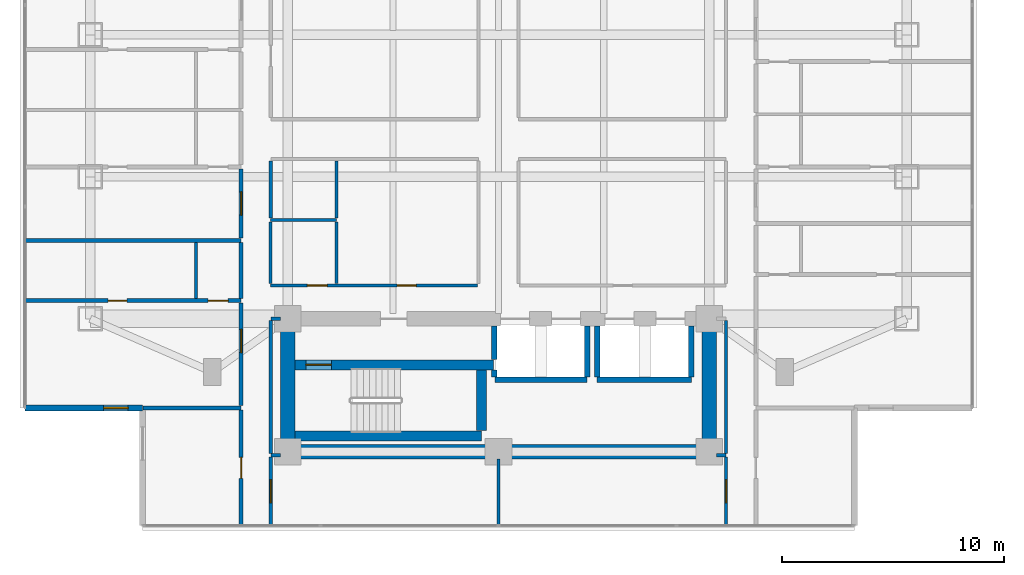
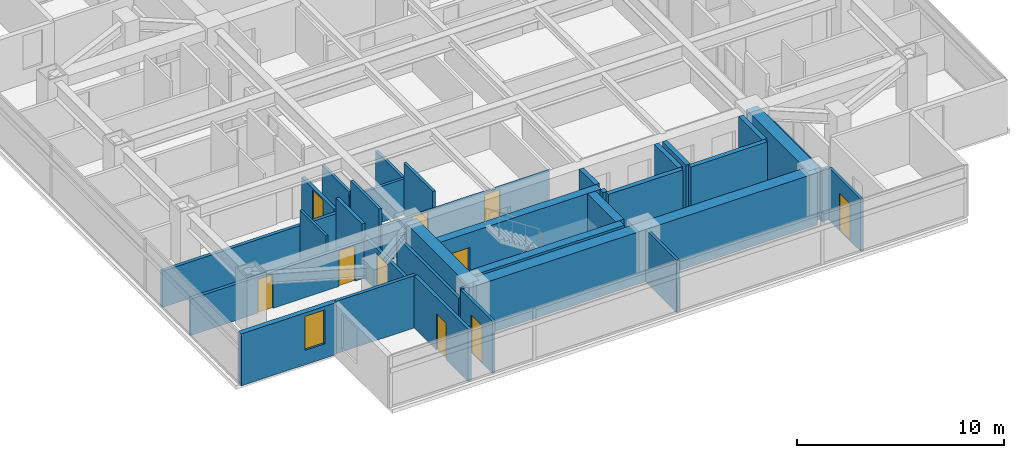
# One storey, part 12 of 24: 36 walls, 10 doors, 1 window, 11 openings.
"""IFC4 building model written with IfcOpenShell, lengths in metres."""

from ifc_helpers import new_model, si_unit, direction, frame, frame_2d, origin, place, context, subcontext, project, spatial, rectangle, extrude, material, layer, layer_set, type_object, element, fill, save


model = new_model("IFC4")

# Units and contexts
model_context = context("Model", 3, precision=1e-05, world=origin(), true_north=direction((0.0, 1.0)))
body_context = subcontext(model_context, "Body", "Model", "MODEL_VIEW")
ifc_project = project(units=[si_unit("LENGTHUNIT", "METRE"), si_unit("AREAUNIT", "SQUARE_METRE"), si_unit("VOLUMEUNIT", "CUBIC_METRE"), si_unit("PLANEANGLEUNIT", "RADIAN"), si_unit("MASSUNIT", "GRAM", prefix="KILO")], contexts=[model_context])

# Site, building, storey
site_placement = place(None, origin())
site = spatial("IfcSite", under=ifc_project, at=site_placement, CompositionType="ELEMENT")
building_placement = place(site_placement, origin())
building = spatial("IfcBuilding", under=site, at=building_placement, Name="Mirazonda Arch Towers", CompositionType="ELEMENT")
storey_placement = place(building_placement, frame((0.0, 0.0, 101.60009765625)))
storey = spatial("IfcBuildingStorey", under=building, at=storey_placement, Name="L28", CompositionType="ELEMENT", Elevation=101.60009765625)

# Wall
ifc_material_1 = material(Name="Concrete C50/60", Category="concrete")
ifc_layer_1 = layer(ifc_material_1, 0.449951171875, Name="WALL-CORE-450")
ifc_layer_set_1 = layer_set([ifc_layer_1], Name="Concrete C50/60")
wall_type_1 = type_object("IfcWallType", Name="WALL-CORE-450", PredefinedType="SHEAR", material=ifc_layer_set_1)
wall_1_placement = place(storey_placement, frame((11.320068359375, 13.1201171875, 0.0), z_axis=(0.0, 0.0, 1.0), x_axis=(1.0, 0.0, 0.0)))
element("IfcWall", 1, at=wall_1_placement, inside=storey, type_object=wall_type_1, Name="L28 Stair Core Shear Wall 003", PredefinedType="SHEAR", context=body_context, shape_type="SweptSolid", body=[
    extrude(rectangle(XDim=8.409912109375, YDim=0.449951171875, at=frame_2d((4.205078125, 0.0))), origin(), (0.0, 0.0, 1.0), 3.079833984375),
])

# Wall, opening, door
wall_2_placement = place(storey_placement, frame((11.320068359375, 16.320068359375, 0.0), z_axis=(0.0, 0.0, 1.0), x_axis=(1.0, 0.0, 0.0)))
wall_2 = element("IfcWall", 2, at=wall_2_placement, inside=storey, type_object=wall_type_1, Name="L28 Stair Core Shear Wall 008", PredefinedType="SHEAR", context=body_context, shape_type="SweptSolid", body=[
    extrude(rectangle(XDim=8.9599609375, YDim=0.449951171875, at=frame_2d((4.47998046875, 0.0))), origin(), (0.0, 0.0, 1.0), 3.079833984375),
])
opening_1_placement = place(wall_2_placement, frame((0.4951171875, 0.0, 0.0)))
opening_1 = element("IfcOpeningElement", 3, at=opening_1_placement, cuts=wall_2, Name="Opening DR-135", PredefinedType="OPENING", context=body_context, shape_type="SweptSolid", body=[
    extrude(rectangle(XDim=1.14990234375, YDim=2.199951171875, at=frame_2d((0.574951171875, 1.10009765625))), frame((0.0, 0.23486328125, 0.0), z_axis=(0.0, -1.0, 0.0), x_axis=(1.0, 0.0, 0.0)), (0.0, 0.0, 1.0), 0.469970703125),
])
ifc_material_2 = material(Name="Architectural Brushed Steel S355", Category="steel")
door_type_1 = type_object("IfcDoorType", Name="DOOR-STAIR-FD90-1150", OperationType="NOTDEFINED", PredefinedType="DOOR", material=ifc_material_2)
door_1_placement = place(opening_1_placement, origin())
door_1 = element("IfcDoor", 4, at=door_1_placement, inside=storey, type_object=door_type_1, Name="L28 Protected Exit Stair South Door", OperationType="SINGLE_SWING_RIGHT", OverallHeight=2.199951171875, OverallWidth=1.14990234375, PredefinedType="DOOR", context=body_context, shape_type="SweptSolid", body=[
    extrude(rectangle(XDim=1.14990234375, YDim=2.199951171875, at=frame_2d((0.574951171875, 1.10009765625))), frame((0.0, 0.02490234375, 0.0), z_axis=(0.0, -1.0, 0.0), x_axis=(1.0, 0.0, 0.0)), (0.0, 0.0, 1.0), 0.050048828125),
])
fill(opening_1, door_1)

# Walls
wall_3_placement = place(storey_placement, frame((19.72998046875, 13.35498046875, 0.0), z_axis=(0.0, 0.0, 1.0), x_axis=(0.0, 1.0, 0.0)))
element("IfcWall", 5, at=wall_3_placement, inside=storey, type_object=wall_type_1, Name="L28 Stair Core Shear Wall 094", PredefinedType="SHEAR", context=body_context, shape_type="SweptSolid", body=[
    extrude(rectangle(XDim=2.72998046875, YDim=0.449951171875, at=frame_2d((1.364990234375, 0.0))), origin(), (0.0, 0.0, 1.0), 3.079833984375),
])
ifc_material_3 = material(Name="Concrete C60/75", Category="concrete")
ifc_layer_2 = layer(ifc_material_3, 0.64990234375, Name="WALL-CORE-650")
ifc_layer_set_2 = layer_set([ifc_layer_2], Name="Concrete C60/75")
wall_type_2 = type_object("IfcWallType", Name="WALL-CORE-650", PredefinedType="SHEAR", material=ifc_layer_set_2)
wall_4_placement = place(storey_placement, frame((11.0, 12.39990234375, 0.0), z_axis=(0.0, 0.0, 1.0), x_axis=(1.0, 0.0, 0.0)))
element("IfcWall", 6, at=wall_4_placement, inside=storey, type_object=wall_type_2, Name="L28 T1S-S Core Shear Wall", PredefinedType="SHEAR", context=body_context, shape_type="SweptSolid", body=[
    extrude(rectangle(XDim=19.0, YDim=0.64990234375, at=frame_2d((9.5, 0.0))), origin(), (0.0, 0.0, 1.0), 3.079833984375),
])
for number, where, z_axis, x_axis, name in (
    (7, (11.0, 12.39990234375, 0.0), (0.0, 0.0, 1.0), (0.0, 1.0, 0.0), "L28 T1S-W Core Shear Wall"),
    (8, (30.0, 12.39990234375, 0.0), (0.0, 0.0, 1.0), (0.0, 1.0, 0.0), "L28 T1S-E Core Shear Wall"),
):
    element("IfcWall", number, at=place(storey_placement, frame(where, z_axis=z_axis, x_axis=x_axis)), inside=storey, type_object=wall_type_2, Name=name, PredefinedType="SHEAR", context=body_context, shape_type="SweptSolid", body=[
        extrude(rectangle(XDim=6.0, YDim=0.64990234375, at=frame_2d((3.0, 0.0))), origin(), (0.0, 0.0, 1.0), 3.079833984375),
    ])

# Wall, opening, window
ifc_material_4 = material(Name="Precast Concrete C40/50", Category="concrete")
ifc_layer_3 = layer(ifc_material_4, 0.280029296875, Name="WALL-EXT-WALL-280")
ifc_layer_set_3 = layer_set([ifc_layer_3], Name="Precast Concrete C40/50")
wall_type_3 = type_object("IfcWallType", Name="WALL-EXT-WALL-280", PredefinedType="SOLIDWALL", material=ifc_layer_set_3)
wall_5_placement = place(storey_placement, frame((-0.85009765625, 14.383056640625, 0.0), z_axis=(0.0, 0.0, 1.0), x_axis=(1.0, 0.0, 0.0)))
wall_5 = element("IfcWall", 9, at=wall_5_placement, inside=storey, type_object=wall_type_3, Name="L28 T1 Corner Notch Return Wall WL-L28-T1-CSW2", PredefinedType="SOLIDWALL", context=body_context, shape_type="SweptSolid", body=[
    extrude(rectangle(XDim=5.30517578125, YDim=0.280029296875, at=frame_2d((2.652587890625, 0.0))), origin(), (0.0, 0.0, 1.0), 3.059814453125),
])
opening_2_placement = place(wall_5_placement, frame((3.554931640625, 0.0, 0.85009765625)))
opening_2 = element("IfcOpeningElement", 10, at=opening_2_placement, cuts=wall_5, Name="Opening WN-108", PredefinedType="OPENING", context=body_context, shape_type="SweptSolid", body=[
    extrude(rectangle(XDim=1.10009765625, YDim=2.0, at=frame_2d((0.550048828125, 1.0))), frame((0.0, 0.14990234375, 0.0), z_axis=(0.0, -1.0, 0.0), x_axis=(1.0, 0.0, 0.0)), (0.0, 0.0, 1.0), 0.300048828125),
])
ifc_material_5 = material(Name="Insulated Low-E Solar Glass", Category="glass")
window_type = type_object("IfcWindowType", Name="WIN-NOTCH-1100x2000", PartitioningType="SINGLE_PANEL", PredefinedType="WINDOW", material=ifc_material_5)
window_placement = place(opening_2_placement, origin())
window = element("IfcWindow", 11, at=window_placement, inside=storey, type_object=window_type, Name="L28 Punched Facade Window WN-L28-T1-CSW2", OverallHeight=2.0, OverallWidth=1.10009765625, PartitioningType="SINGLE_PANEL", PredefinedType="WINDOW", context=body_context, shape_type="SweptSolid", body=[
    extrude(rectangle(XDim=1.10009765625, YDim=2.0, at=frame_2d((0.550048828125, 1.0))), frame((0.0, 0.030029296875, 0.0), z_axis=(0.0, -1.0, 0.0), x_axis=(1.0, 0.0, 0.0)), (0.0, 0.0, 1.0), 0.06005859375),
])
fill(opening_2, window)

# Walls
ifc_material_6 = material(Name="Fire-Rated Gypsum Stud Partition")
ifc_layer_4 = layer(ifc_material_6, 0.14990234375, Name="WALL-PART-CORR-150")
ifc_layer_set_4 = layer_set([ifc_layer_4], Name="Fire-Rated Gypsum Stud Partition")
wall_type_4 = type_object("IfcWallType", Name="WALL-PART-CORR-150", PredefinedType="PARTITIONING", material=ifc_layer_set_4)
for number, where, z_axis, x_axis, name in (
    (12, (10.239990234375, 12.25, 0.0), (0.0, 0.0, 1.0), (1.0, 0.0, 0.0), "L28 Interior Partition 001"),
    (13, (30.320068359375, 12.25, 0.0), (0.0, 0.0, 1.0), (1.0, 0.0, 0.0), "L28 Interior Partition 002"),
):
    element("IfcWall", number, at=place(storey_placement, frame(where, z_axis=z_axis, x_axis=x_axis)), inside=storey, type_object=wall_type_4, Name=name, PredefinedType="PARTITIONING", context=body_context, shape_type="SweptSolid", body=[
        extrude(rectangle(XDim=0.43994140625, YDim=0.14990234375, at=frame_2d((0.219970703125, 0.0))), origin(), (0.0, 0.0, 1.0), 3.079833984375),
    ])
wall_6_placement = place(storey_placement, frame((10.239990234375, 18.39990234375, 0.0), z_axis=(0.0, 0.0, 1.0), x_axis=(1.0, 0.0, 0.0)))
element("IfcWall", 14, at=wall_6_placement, inside=storey, type_object=wall_type_4, Name="L28 Interior Partition 012", PredefinedType="PARTITIONING", context=body_context, shape_type="SweptSolid", body=[
    extrude(rectangle(XDim=0.43994140625, YDim=0.14990234375, at=frame_2d((0.219970703125, 0.0))), origin(), (0.0, 0.0, 1.0), 2.455810546875),
])

# Wall, openings, doors
wall_7_placement = place(storey_placement, frame((10.219970703125, 19.89990234375, 0.0), z_axis=(0.0, 0.0, 1.0), x_axis=(1.0, 0.0, 0.0)))
wall_7 = element("IfcWall", 15, at=wall_7_placement, inside=storey, type_object=wall_type_4, Name="L28 Interior Partition 016", PredefinedType="PARTITIONING", context=body_context, shape_type="SweptSolid", body=[
    extrude(rectangle(XDim=9.340087890625, YDim=0.14990234375, at=frame_2d((4.669921875, 0.0))), origin(), (0.0, 0.0, 1.0), 2.1240234375),
])
opening_3_placement = place(wall_7_placement, frame((1.659912109375, 0.0, 0.0)))
opening_3 = element("IfcOpeningElement", 16, at=opening_3_placement, cuts=wall_7, Name="Opening DR-120", PredefinedType="OPENING", context=body_context, shape_type="SweptSolid", body=[
    extrude(rectangle(XDim=0.89990234375, YDim=2.10009765625, at=frame_2d((0.449951171875, 1.050048828125))), frame((0.0, 0.0849609375, 0.0), z_axis=(0.0, -1.0, 0.0), x_axis=(1.0, 0.0, 0.0)), (0.0, 0.0, 1.0), 0.169921875),
])
opening_4_placement = place(wall_7_placement, frame((5.715087890625, 0.0, 0.0)))
opening_4 = element("IfcOpeningElement", 17, at=opening_4_placement, cuts=wall_7, Name="Opening DR-128", PredefinedType="OPENING", context=body_context, shape_type="SweptSolid", body=[
    extrude(rectangle(XDim=0.85009765625, YDim=2.010009765625, at=frame_2d((0.425048828125, 1.0048828125))), frame((0.0, 0.0849609375, 0.0), z_axis=(0.0, -1.0, 0.0), x_axis=(1.0, 0.0, 0.0)), (0.0, 0.0, 1.0), 0.169921875),
])
door_type_2 = type_object("IfcDoorType", Name="DOOR-RISER-FD60-850", OperationType="NOTDEFINED", PredefinedType="DOOR", material=ifc_material_2)
door_2_placement = place(opening_4_placement, origin())
door_2 = element("IfcDoor", 18, at=door_2_placement, inside=storey, type_object=door_type_2, Name="L28 L28 West Courtyard Study Door", OperationType="SINGLE_SWING_RIGHT", OverallHeight=2.010009765625, OverallWidth=0.85009765625, PredefinedType="DOOR", context=body_context, shape_type="SweptSolid", body=[
    extrude(rectangle(XDim=0.85009765625, YDim=2.010009765625, at=frame_2d((0.425048828125, 1.0048828125))), frame((0.0, 0.02490234375, 0.0), z_axis=(0.0, -1.0, 0.0), x_axis=(1.0, 0.0, 0.0)), (0.0, 0.0, 1.0), 0.050048828125),
])
fill(opening_4, door_2)
door_type_3 = type_object("IfcDoorType", Name="DOOR-WC-900", OperationType="NOTDEFINED", PredefinedType="DOOR", material=ifc_material_2)
door_3_placement = place(opening_3_placement, origin())
door_3 = element("IfcDoor", 19, at=door_3_placement, inside=storey, type_object=door_type_3, Name="L28 Common Accessible WC Door", OperationType="SINGLE_SWING_LEFT", OverallHeight=2.10009765625, OverallWidth=0.89990234375, PredefinedType="DOOR", context=body_context, shape_type="SweptSolid", body=[
    extrude(rectangle(XDim=0.89990234375, YDim=2.10009765625, at=frame_2d((0.449951171875, 1.050048828125))), frame((0.0, 0.02490234375, 0.0), z_axis=(0.0, -1.0, 0.0), x_axis=(1.0, 0.0, 0.0)), (0.0, 0.0, 1.0), 0.050048828125),
])
fill(opening_3, door_3)

# Walls
wall_8_placement = place(storey_placement, frame((10.219970703125, 22.85009765625, 0.0), z_axis=(0.0, 0.0, 1.0), x_axis=(1.0, 0.0, 0.0)))
element("IfcWall", 20, at=wall_8_placement, inside=storey, type_object=wall_type_4, Name="L28 Interior Partition 026", PredefinedType="PARTITIONING", context=body_context, shape_type="SweptSolid", body=[
    extrude(rectangle(XDim=2.97998046875, YDim=0.14990234375, at=frame_2d((1.489990234375, 0.0))), origin(), (0.0, 0.0, 1.0), 2.1240234375),
])
wall_9_placement = place(storey_placement, frame((10.219970703125, 19.985107421875, 0.0), z_axis=(0.0, 0.0, 1.0), x_axis=(0.0, 1.0, 0.0)))
element("IfcWall", 21, at=wall_9_placement, inside=storey, type_object=wall_type_4, Name="L28 Interior Partition 081", PredefinedType="PARTITIONING", context=body_context, shape_type="SweptSolid", body=[
    extrude(rectangle(XDim=2.77978515625, YDim=0.14990234375, at=frame_2d((1.389892578125, 0.0))), origin(), (0.0, 0.0, 1.0), 3.079833984375),
])

# Wall, opening, door
wall_10_placement = place(storey_placement, frame((10.239990234375, 9.077880859375, 0.0), z_axis=(0.0, 0.0, 1.0), x_axis=(0.0, 1.0, 0.0)))
wall_10 = element("IfcWall", 22, at=wall_10_placement, inside=storey, type_object=wall_type_4, Name="L28 Interior Partition 082", PredefinedType="PARTITIONING", context=body_context, shape_type="SweptSolid", body=[
    extrude(rectangle(XDim=3.087158203125, YDim=0.14990234375, at=frame_2d((1.54345703125, 0.0))), origin(), (0.0, 0.0, 1.0), 3.079833984375),
])
opening_5_placement = place(wall_10_placement, frame((1.0185546875, 0.0, 0.0)))
opening_5 = element("IfcOpeningElement", 23, at=opening_5_placement, cuts=wall_10, Name="Opening DR-121", PredefinedType="OPENING", context=body_context, shape_type="SweptSolid", body=[
    extrude(rectangle(XDim=1.050048828125, YDim=2.199951171875, at=frame_2d((0.52490234375, 1.10009765625))), frame((0.0, 0.0849609375, 0.0), z_axis=(0.0, -1.0, 0.0), x_axis=(1.0, 0.0, 0.0)), (0.0, 0.0, 1.0), 0.169921875),
])
door_type_4 = type_object("IfcDoorType", Name="DOOR-SUITE-FD60-1050", OperationType="NOTDEFINED", PredefinedType="DOOR", material=ifc_material_2)
door_4_placement = place(opening_5_placement, origin())
door_4 = element("IfcDoor", 24, at=door_4_placement, inside=storey, type_object=door_type_4, Name="L28 South Horizon Lounge West Door", OperationType="SINGLE_SWING_RIGHT", OverallHeight=2.199951171875, OverallWidth=1.050048828125, PredefinedType="DOOR", context=body_context, shape_type="SweptSolid", body=[
    extrude(rectangle(XDim=1.050048828125, YDim=2.199951171875, at=frame_2d((0.52490234375, 1.10009765625))), frame((0.0, 0.02490234375, 0.0), z_axis=(0.0, -1.0, 0.0), x_axis=(1.0, 0.0, 0.0)), (0.0, 0.0, 1.0), 0.050048828125),
])
fill(opening_5, door_4)

# Walls
wall_11_placement = place(storey_placement, frame((10.239990234375, 12.3349609375, 0.0), z_axis=(0.0, 0.0, 1.0), x_axis=(0.0, 1.0, 0.0)))
element("IfcWall", 25, at=wall_11_placement, inside=storey, type_object=wall_type_4, Name="L28 Interior Partition 083", PredefinedType="PARTITIONING", context=body_context, shape_type="SweptSolid", body=[
    extrude(rectangle(XDim=5.97998046875, YDim=0.14990234375, at=frame_2d((2.989990234375, 0.0))), origin(), (0.0, 0.0, 1.0), 2.455810546875),
])
wall_12_placement = place(storey_placement, frame((10.239990234375, 22.93505859375, 0.0), z_axis=(0.0, 0.0, 1.0), x_axis=(0.0, 1.0, 0.0)))
element("IfcWall", 26, at=wall_12_placement, inside=storey, type_object=wall_type_4, Name="L28 Interior Partition 084", PredefinedType="PARTITIONING", context=body_context, shape_type="SweptSolid", body=[
    extrude(rectangle(XDim=2.579833984375, YDim=0.14990234375, at=frame_2d((1.2900390625, 0.0))), origin(), (0.0, 0.0, 1.0), 2.298828125),
])
wall_13_placement = place(storey_placement, frame((13.199951171875, 19.985107421875, 0.0), z_axis=(0.0, 0.0, 1.0), x_axis=(0.0, 1.0, 0.0)))
element("IfcWall", 27, at=wall_13_placement, inside=storey, type_object=wall_type_4, Name="L28 Interior Partition 089", PredefinedType="PARTITIONING", context=body_context, shape_type="SweptSolid", body=[
    extrude(rectangle(XDim=2.77978515625, YDim=0.14990234375, at=frame_2d((1.389892578125, 0.0))), origin(), (0.0, 0.0, 1.0), 3.079833984375),
])
wall_14_placement = place(storey_placement, frame((13.199951171875, 22.93505859375, 0.0), z_axis=(0.0, 0.0, 1.0), x_axis=(0.0, 1.0, 0.0)))
element("IfcWall", 28, at=wall_14_placement, inside=storey, type_object=wall_type_4, Name="L28 Interior Partition 090", PredefinedType="PARTITIONING", context=body_context, shape_type="SweptSolid", body=[
    extrude(rectangle(XDim=2.579833984375, YDim=0.14990234375, at=frame_2d((1.2900390625, 0.0))), origin(), (0.0, 0.0, 1.0), 2.1240234375),
])
wall_15_placement = place(storey_placement, frame((20.5, 9.077880859375, 0.0), z_axis=(0.0, 0.0, 1.0), x_axis=(0.0, 1.0, 0.0)))
element("IfcWall", 29, at=wall_15_placement, inside=storey, type_object=wall_type_4, Name="L28 Interior Partition 099", PredefinedType="PARTITIONING", context=body_context, shape_type="SweptSolid", body=[
    extrude(rectangle(XDim=3.002197265625, YDim=0.14990234375, at=frame_2d((1.5009765625, 0.0))), origin(), (0.0, 0.0, 1.0), 3.079833984375),
])

# Wall, opening, door
wall_16_placement = place(storey_placement, frame((30.760009765625, 9.077880859375, 0.0), z_axis=(0.0, 0.0, 1.0), x_axis=(0.0, 1.0, 0.0)))
wall_16 = element("IfcWall", 30, at=wall_16_placement, inside=storey, type_object=wall_type_4, Name="L28 Interior Partition 111", PredefinedType="PARTITIONING", context=body_context, shape_type="SweptSolid", body=[
    extrude(rectangle(XDim=3.087158203125, YDim=0.14990234375, at=frame_2d((1.54345703125, 0.0))), origin(), (0.0, 0.0, 1.0), 3.079833984375),
])
opening_6_placement = place(wall_16_placement, frame((1.0185546875, 0.0, 0.0)))
opening_6 = element("IfcOpeningElement", 31, at=opening_6_placement, cuts=wall_16, Name="Opening DR-121", PredefinedType="OPENING", context=body_context, shape_type="SweptSolid", body=[
    extrude(rectangle(XDim=1.050048828125, YDim=2.199951171875, at=frame_2d((0.52490234375, 1.10009765625))), frame((0.0, 0.0849609375, 0.0), z_axis=(0.0, -1.0, 0.0), x_axis=(1.0, 0.0, 0.0)), (0.0, 0.0, 1.0), 0.169921875),
])
door_5_placement = place(opening_6_placement, origin())
door_5 = element("IfcDoor", 32, at=door_5_placement, inside=storey, type_object=door_type_4, Name="L28 South Horizon Lounge East Door", OperationType="SINGLE_SWING_LEFT", OverallHeight=2.199951171875, OverallWidth=1.050048828125, PredefinedType="DOOR", context=body_context, shape_type="SweptSolid", body=[
    extrude(rectangle(XDim=1.050048828125, YDim=2.199951171875, at=frame_2d((0.52490234375, 1.10009765625))), frame((0.0, 0.02490234375, 0.0), z_axis=(0.0, -1.0, 0.0), x_axis=(1.0, 0.0, 0.0)), (0.0, 0.0, 1.0), 0.050048828125),
])
fill(opening_6, door_5)

# Walls
wall_17_placement = place(storey_placement, frame((30.760009765625, 12.3349609375, 0.0), z_axis=(0.0, 0.0, 1.0), x_axis=(0.0, 1.0, 0.0)))
element("IfcWall", 33, at=wall_17_placement, inside=storey, type_object=wall_type_4, Name="L28 Interior Partition 112", PredefinedType="PARTITIONING", context=body_context, shape_type="SweptSolid", body=[
    extrude(rectangle(XDim=5.97998046875, YDim=0.14990234375, at=frame_2d((2.989990234375, 0.0))), origin(), (0.0, 0.0, 1.0), 2.455810546875),
])
ifc_material_7 = material(Name="Fire-Rated Gypsum Twin-Stud Assembly")
ifc_layer_5 = layer(ifc_material_7, 0.179931640625, Name="WALL-PART-DEMISE-180")
ifc_layer_set_5 = layer_set([ifc_layer_5], Name="Fire-Rated Gypsum Twin-Stud Assembly")
wall_type_5 = type_object("IfcWallType", Name="WALL-PART-DEMISE-180", PredefinedType="PARTITIONING", material=ifc_layer_set_5)
wall_18_placement = place(storey_placement, frame((4.47509765625, 14.383056640625, 0.0), z_axis=(0.0, 0.0, 1.0), x_axis=(1.0, 0.0, 0.0)))
element("IfcWall", 34, at=wall_18_placement, inside=storey, type_object=wall_type_5, Name="L28 Interior Partition 004", PredefinedType="PARTITIONING", context=body_context, shape_type="SweptSolid", body=[
    extrude(rectangle(XDim=4.4248046875, YDim=0.179931640625, at=frame_2d((2.21240234375, 0.0))), origin(), (0.0, 0.0, 1.0), 3.079833984375),
])

# Wall, openings, doors
wall_19_placement = place(storey_placement, frame((-0.85009765625, 19.220947265625, 0.0), z_axis=(0.0, 0.0, 1.0), x_axis=(1.0, 0.0, 0.0)))
wall_19 = element("IfcWall", 35, at=wall_19_placement, inside=storey, type_object=wall_type_5, Name="L28 Interior Partition 015", PredefinedType="PARTITIONING", context=body_context, shape_type="SweptSolid", body=[
    extrude(rectangle(XDim=9.75, YDim=0.179931640625, at=frame_2d((4.875, 0.0))), origin(), (0.0, 0.0, 1.0), 2.14501953125),
])
opening_7_placement = place(wall_19_placement, frame((3.75, 0.0, 0.0)))
opening_7 = element("IfcOpeningElement", 36, at=opening_7_placement, cuts=wall_19, Name="Opening DR-128", PredefinedType="OPENING", context=body_context, shape_type="SweptSolid", body=[
    extrude(rectangle(XDim=0.85009765625, YDim=2.010009765625, at=frame_2d((0.425048828125, 1.0048828125))), frame((0.0, 0.099853515625, 0.0), z_axis=(0.0, -1.0, 0.0), x_axis=(1.0, 0.0, 0.0)), (0.0, 0.0, 1.0), 0.199951171875),
])
opening_8_placement = place(wall_19_placement, frame((8.260009765625, 0.0, 0.0)))
opening_8 = element("IfcOpeningElement", 37, at=opening_8_placement, cuts=wall_19, Name="Opening DR-120", PredefinedType="OPENING", context=body_context, shape_type="SweptSolid", body=[
    extrude(rectangle(XDim=0.89990234375, YDim=2.10009765625, at=frame_2d((0.449951171875, 1.050048828125))), frame((0.0, 0.099853515625, 0.0), z_axis=(0.0, -1.0, 0.0), x_axis=(1.0, 0.0, 0.0)), (0.0, 0.0, 1.0), 0.199951171875),
])
door_6_placement = place(opening_7_placement, origin())
door_6 = element("IfcDoor", 38, at=door_6_placement, inside=storey, type_object=door_type_2, Name="L28 Suite Bedroom 1 Door", OperationType="SINGLE_SWING_LEFT", OverallHeight=2.010009765625, OverallWidth=0.85009765625, PredefinedType="DOOR", context=body_context, shape_type="SweptSolid", body=[
    extrude(rectangle(XDim=0.85009765625, YDim=2.010009765625, at=frame_2d((0.425048828125, 1.0048828125))), frame((0.0, 0.02490234375, 0.0), z_axis=(0.0, -1.0, 0.0), x_axis=(1.0, 0.0, 0.0)), (0.0, 0.0, 1.0), 0.050048828125),
])
fill(opening_7, door_6)
door_7_placement = place(opening_8_placement, origin())
door_7 = element("IfcDoor", 39, at=door_7_placement, inside=storey, type_object=door_type_3, Name="L28 Suite En-Suite Bathroom 1 Door", OperationType="SINGLE_SWING_RIGHT", OverallHeight=2.10009765625, OverallWidth=0.89990234375, PredefinedType="DOOR", context=body_context, shape_type="SweptSolid", body=[
    extrude(rectangle(XDim=0.89990234375, YDim=2.10009765625, at=frame_2d((0.449951171875, 1.050048828125))), frame((0.0, 0.02490234375, 0.0), z_axis=(0.0, -1.0, 0.0), x_axis=(1.0, 0.0, 0.0)), (0.0, 0.0, 1.0), 0.050048828125),
])
fill(opening_8, door_7)

# Wall
wall_20_placement = place(storey_placement, frame((-0.85009765625, 21.94091796875, 0.0), z_axis=(0.0, 0.0, 1.0), x_axis=(1.0, 0.0, 0.0)))
element("IfcWall", 40, at=wall_20_placement, inside=storey, type_object=wall_type_5, Name="L28 Interior Partition 023", PredefinedType="PARTITIONING", context=body_context, shape_type="SweptSolid", body=[
    extrude(rectangle(XDim=9.75, YDim=0.179931640625, at=frame_2d((4.875, 0.0))), origin(), (0.0, 0.0, 1.0), 2.14501953125),
])

# Wall, opening, door
wall_21_placement = place(storey_placement, frame((8.89990234375, 9.077880859375, 0.0), z_axis=(0.0, 0.0, 1.0), x_axis=(0.0, 1.0, 0.0)))
wall_21 = element("IfcWall", 41, at=wall_21_placement, inside=storey, type_object=wall_type_5, Name="L28 Interior Partition 071", PredefinedType="PARTITIONING", context=body_context, shape_type="SweptSolid", body=[
    extrude(rectangle(XDim=5.205078125, YDim=0.179931640625, at=frame_2d((2.6025390625, 0.0))), origin(), (0.0, 0.0, 1.0), 3.079833984375),
])
opening_9_placement = place(wall_21_placement, frame((2.12744140625, 0.0, 0.0)))
opening_9 = element("IfcOpeningElement", 42, at=opening_9_placement, cuts=wall_21, Name="Opening DR-104", PredefinedType="OPENING", context=body_context, shape_type="SweptSolid", body=[
    extrude(rectangle(XDim=0.949951171875, YDim=2.14990234375, at=frame_2d((0.47509765625, 1.074951171875))), frame((0.0, 0.099853515625, 0.0), z_axis=(0.0, -1.0, 0.0), x_axis=(1.0, 0.0, 0.0)), (0.0, 0.0, 1.0), 0.199951171875),
])
door_type_5 = type_object("IfcDoorType", Name="DOOR-ROOM-950", OperationType="NOTDEFINED", PredefinedType="DOOR", material=ifc_material_2)
door_8_placement = place(opening_9_placement, origin())
door_8 = element("IfcDoor", 43, at=door_8_placement, inside=storey, type_object=door_type_5, Name="L28 South Horizon Lounge Alcove West Door", OperationType="SINGLE_SWING_RIGHT", OverallHeight=2.14990234375, OverallWidth=0.949951171875, PredefinedType="DOOR", context=body_context, shape_type="SweptSolid", body=[
    extrude(rectangle(XDim=0.949951171875, YDim=2.14990234375, at=frame_2d((0.47509765625, 1.074951171875))), frame((0.0, 0.02490234375, 0.0), z_axis=(0.0, -1.0, 0.0), x_axis=(1.0, 0.0, 0.0)), (0.0, 0.0, 1.0), 0.050048828125),
])
fill(opening_9, door_8)

wall_22_placement = place(storey_placement, frame((8.89990234375, 14.48291015625, 0.0), z_axis=(0.0, 0.0, 1.0), x_axis=(0.0, 1.0, 0.0)))
wall_22 = element("IfcWall", 44, at=wall_22_placement, inside=storey, type_object=wall_type_5, Name="L28 Interior Partition 072", PredefinedType="PARTITIONING", context=body_context, shape_type="SweptSolid", body=[
    extrude(rectangle(XDim=4.63818359375, YDim=0.179931640625, at=frame_2d((2.319091796875, 0.0))), origin(), (0.0, 0.0, 1.0), 2.455810546875),
])
opening_10_placement = place(wall_22_placement, frame((2.39404296875, 0.0, 0.0)))
opening_10 = element("IfcOpeningElement", 45, at=opening_10_placement, cuts=wall_22, Name="Opening DR-121", PredefinedType="OPENING", context=body_context, shape_type="SweptSolid", body=[
    extrude(rectangle(XDim=1.050048828125, YDim=2.199951171875, at=frame_2d((0.52490234375, 1.10009765625))), frame((0.0, 0.099853515625, 0.0), z_axis=(0.0, -1.0, 0.0), x_axis=(1.0, 0.0, 0.0)), (0.0, 0.0, 1.0), 0.199951171875),
])
door_9_placement = place(opening_10_placement, origin())
door_9 = element("IfcDoor", 46, at=door_9_placement, inside=storey, type_object=door_type_4, Name="L28 Panoramic Suite Salon 1 Door", OperationType="SINGLE_SWING_RIGHT", OverallHeight=2.199951171875, OverallWidth=1.050048828125, PredefinedType="DOOR", context=body_context, shape_type="SweptSolid", body=[
    extrude(rectangle(XDim=1.050048828125, YDim=2.199951171875, at=frame_2d((0.52490234375, 1.10009765625))), frame((0.0, 0.02490234375, 0.0), z_axis=(0.0, -1.0, 0.0), x_axis=(1.0, 0.0, 0.0)), (0.0, 0.0, 1.0), 0.050048828125),
])
fill(opening_10, door_9)

# Wall
wall_23_placement = place(storey_placement, frame((8.89990234375, 19.321044921875, 0.0), z_axis=(0.0, 0.0, 1.0), x_axis=(0.0, 1.0, 0.0)))
element("IfcWall", 47, at=wall_23_placement, inside=storey, type_object=wall_type_5, Name="L28 Interior Partition 073", PredefinedType="PARTITIONING", context=body_context, shape_type="SweptSolid", body=[
    extrude(rectangle(XDim=2.52001953125, YDim=0.179931640625, at=frame_2d((1.260009765625, 0.0))), origin(), (0.0, 0.0, 1.0), 3.079833984375),
])

# Wall, opening, door
wall_24_placement = place(storey_placement, frame((8.89990234375, 22.041015625, 0.0), z_axis=(0.0, 0.0, 1.0), x_axis=(0.0, 1.0, 0.0)))
wall_24 = element("IfcWall", 48, at=wall_24_placement, inside=storey, type_object=wall_type_5, Name="L28 Interior Partition 074", PredefinedType="PARTITIONING", context=body_context, shape_type="SweptSolid", body=[
    extrude(rectangle(XDim=3.10693359375, YDim=0.179931640625, at=frame_2d((1.553466796875, 0.0))), origin(), (0.0, 0.0, 1.0), 2.298828125),
])
opening_11_placement = place(wall_24_placement, frame((1.028564453125, 0.0, 0.0)))
opening_11 = element("IfcOpeningElement", 49, at=opening_11_placement, cuts=wall_24, Name="Opening DR-121", PredefinedType="OPENING", context=body_context, shape_type="SweptSolid", body=[
    extrude(rectangle(XDim=1.050048828125, YDim=2.199951171875, at=frame_2d((0.52490234375, 1.10009765625))), frame((0.0, 0.099853515625, 0.0), z_axis=(0.0, -1.0, 0.0), x_axis=(1.0, 0.0, 0.0)), (0.0, 0.0, 1.0), 0.199951171875),
])
door_10_placement = place(opening_11_placement, origin())
door_10 = element("IfcDoor", 50, at=door_10_placement, inside=storey, type_object=door_type_4, Name="L28 Deluxe Suite Living Room 2 Door", OperationType="SINGLE_SWING_LEFT", OverallHeight=2.199951171875, OverallWidth=1.050048828125, PredefinedType="DOOR", context=body_context, shape_type="SweptSolid", body=[
    extrude(rectangle(XDim=1.050048828125, YDim=2.199951171875, at=frame_2d((0.52490234375, 1.10009765625))), frame((0.0, 0.02490234375, 0.0), z_axis=(0.0, -1.0, 0.0), x_axis=(1.0, 0.0, 0.0)), (0.0, 0.0, 1.0), 0.050048828125),
])
fill(opening_11, door_10)

# Walls
ifc_material_8 = material(Name="Acoustic Fire-Rated Gypsum Partition")
ifc_layer_6 = layer(ifc_material_8, 0.125, Name="WALL-PART-UNIT-125")
ifc_layer_set_6 = layer_set([ifc_layer_6], Name="Acoustic Fire-Rated Gypsum Partition")
wall_type_6 = type_object("IfcWallType", Name="WALL-PART-UNIT-125", PredefinedType="PARTITIONING", material=ifc_layer_set_6)
wall_25_placement = place(storey_placement, frame((6.860107421875, 19.321044921875, 0.0), z_axis=(0.0, 0.0, 1.0), x_axis=(0.0, 1.0, 0.0)))
element("IfcWall", 51, at=wall_25_placement, inside=storey, type_object=wall_type_6, Name="L28 Interior Partition 067", PredefinedType="PARTITIONING", context=body_context, shape_type="SweptSolid", body=[
    extrude(rectangle(XDim=2.52001953125, YDim=0.125, at=frame_2d((1.260009765625, 0.0))), origin(), (0.0, 0.0, 1.0), 3.079833984375),
])
ifc_material_9 = material(Name="Concrete C40/50", Category="concrete")
ifc_layer_7 = layer(ifc_material_9, 0.25, Name="WALL-SHAFT-250")
ifc_layer_set_7 = layer_set([ifc_layer_7], Name="Concrete C40/50")
wall_type_7 = type_object("IfcWallType", Name="WALL-SHAFT-250", PredefinedType="SOLIDWALL", material=ifc_layer_set_7)
wall_26_placement = place(storey_placement, frame((20.35009765625, 15.64990234375, 0.0), z_axis=(0.0, 0.0, 1.0), x_axis=(1.0, 0.0, 0.0)))
element("IfcWall", 52, at=wall_26_placement, inside=storey, type_object=wall_type_7, Name="L28 Interior Partition 006", PredefinedType="SOLIDWALL", context=body_context, shape_type="SweptSolid", body=[
    extrude(rectangle(XDim=4.14990234375, YDim=0.25, at=frame_2d((2.074951171875, 0.0))), origin(), (0.0, 0.0, 1.0), 3.079833984375),
])
wall_27_placement = place(storey_placement, frame((24.949951171875, 15.64990234375, 0.0), z_axis=(0.0, 0.0, 1.0), x_axis=(1.0, 0.0, 0.0)))
element("IfcWall", 53, at=wall_27_placement, inside=storey, type_object=wall_type_7, Name="L28 Interior Partition 007", PredefinedType="SOLIDWALL", context=body_context, shape_type="SweptSolid", body=[
    extrude(rectangle(XDim=4.25, YDim=0.25, at=frame_2d((2.125, 0.0))), origin(), (0.0, 0.0, 1.0), 3.079833984375),
])
wall_28_placement = place(storey_placement, frame((20.31494140625, 15.784912109375, 0.0), z_axis=(0.0, 0.0, 1.0), x_axis=(0.0, 1.0, 0.0)))
element("IfcWall", 54, at=wall_28_placement, inside=storey, type_object=wall_type_7, Name="L28 Interior Partition 096", PredefinedType="SOLIDWALL", context=body_context, shape_type="SweptSolid", body=[
    extrude(rectangle(XDim=0.300048828125, YDim=0.25, at=frame_2d((0.14990234375, 0.0))), origin(), (0.0, 0.0, 1.0), 3.079833984375),
])
wall_29_placement = place(storey_placement, frame((20.31494140625, 16.554931640625, 0.0), z_axis=(0.0, 0.0, 1.0), x_axis=(0.0, 1.0, 0.0)))
element("IfcWall", 55, at=wall_29_placement, inside=storey, type_object=wall_type_7, Name="L28 Interior Partition 097", PredefinedType="SOLIDWALL", context=body_context, shape_type="SweptSolid", body=[
    extrude(rectangle(XDim=1.525146484375, YDim=0.25, at=frame_2d((0.7626953125, 0.0))), origin(), (0.0, 0.0, 1.0), 3.079833984375),
])
for number, where, z_axis, x_axis, name in (
    (56, (24.5, 15.784912109375, 0.0), (0.0, 0.0, 1.0), (0.0, 1.0, 0.0), "L28 Interior Partition 103"),
    (57, (24.949951171875, 15.784912109375, 0.0), (0.0, 0.0, 1.0), (0.0, 1.0, 0.0), "L28 Interior Partition 105"),
    (58, (29.199951171875, 15.784912109375, 0.0), (0.0, 0.0, 1.0), (0.0, 1.0, 0.0), "L28 Interior Partition 108"),
):
    element("IfcWall", number, at=place(storey_placement, frame(where, z_axis=z_axis, x_axis=x_axis)), inside=storey, type_object=wall_type_7, Name=name, PredefinedType="SOLIDWALL", context=body_context, shape_type="SweptSolid", body=[
        extrude(rectangle(XDim=2.295166015625, YDim=0.25, at=frame_2d((1.1474609375, 0.0))), origin(), (0.0, 0.0, 1.0), 3.079833984375),
    ])

save(model, "model.ifc")
